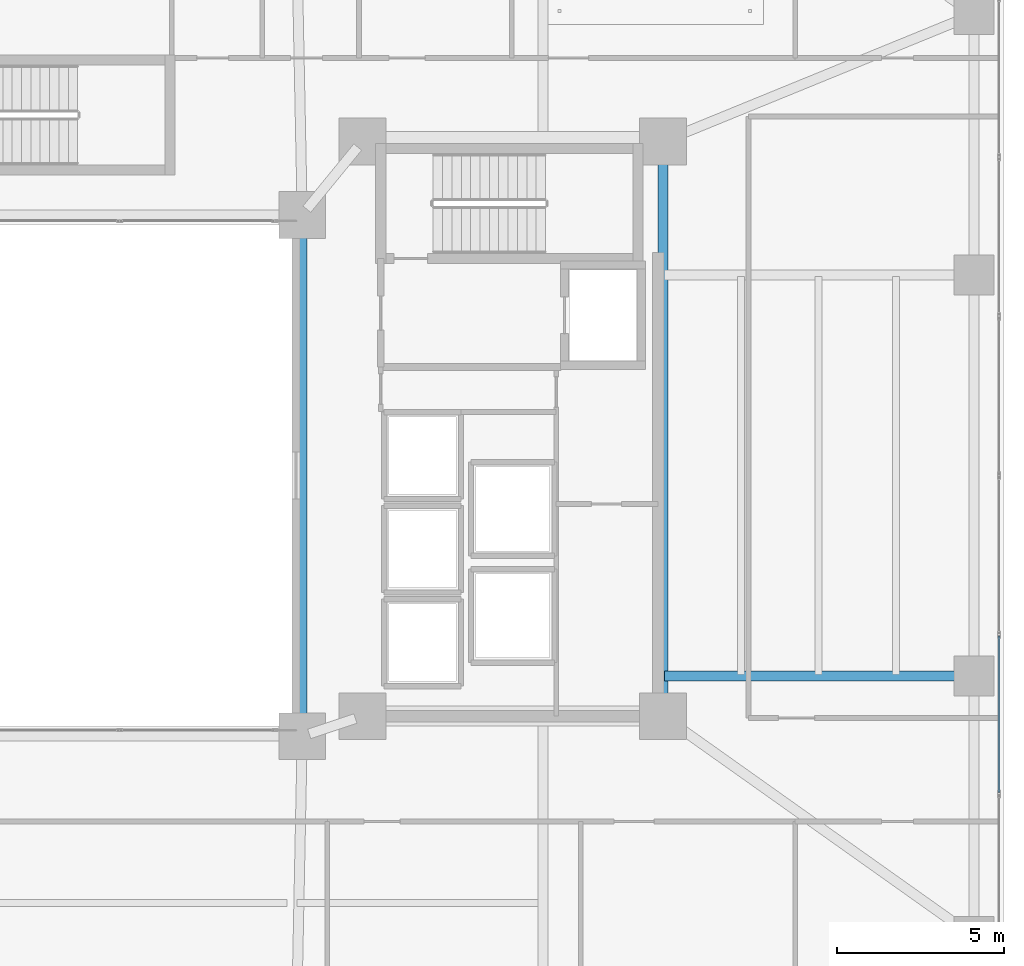
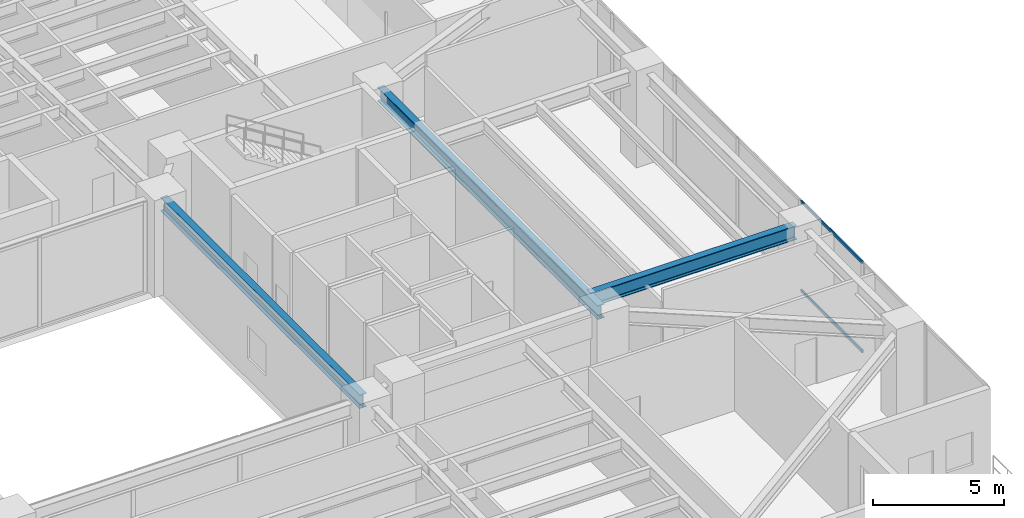
# One storey, part 15 of 40: 3 beams, 2 members, 1 element without a shape of its own.
"""IFC4 building model written with IfcOpenShell, lengths in metres."""

from ifc_helpers import new_model, si_unit, direction, frame, origin, origin_2d, place, context, subcontext, project, spatial, hollow_rectangle, i_section, extrude, material, layer, layer_set, material_profile, profile_set, type_object, element, aggregate, save


model = new_model("IFC4")

# Units and contexts
model_context = context("Model", 3, precision=1e-05, world=origin(), true_north=direction((0.0, 1.0)))
body_context = subcontext(model_context, "Body", "Model", "MODEL_VIEW")
ifc_project = project(units=[si_unit("LENGTHUNIT", "METRE"), si_unit("AREAUNIT", "SQUARE_METRE"), si_unit("VOLUMEUNIT", "CUBIC_METRE"), si_unit("PLANEANGLEUNIT", "RADIAN"), si_unit("MASSUNIT", "GRAM", prefix="KILO")], contexts=[model_context])

# Site, building, storey
site_placement = place(None, origin())
site = spatial("IfcSite", under=ifc_project, at=site_placement, CompositionType="ELEMENT")
building_placement = place(site_placement, origin())
building = spatial("IfcBuilding", under=site, at=building_placement, Name="Tarnavaz Court Tower", CompositionType="ELEMENT")
storey_placement = place(building_placement, frame((0.0, 0.0, 64.199951171875)))
storey = spatial("IfcBuildingStorey", under=building, at=storey_placement, Name="L17", CompositionType="ELEMENT", Elevation=64.199951171875)

# Beams
ifc_material_1 = material(Name="Steel S355", Category="steel")
ifc_material_profile_1 = material_profile(ifc_material_1, i_section(OverallWidth=0.300048828125, OverallDepth=0.64990234375, WebThickness=0.01611328125, FlangeThickness=0.031005859375, FilletRadius=0.027099609375, at=origin_2d()), Name="HEB 650")
ifc_profile_set_1 = profile_set([ifc_material_profile_1], Name="Steel S355")
beam_type_1 = type_object("IfcBeamType", Name="BM-G-HEB650", PredefinedType="USERDEFINED", material=ifc_profile_set_1)
beam_1_placement = place(storey_placement, frame((18.60009765625, -6.97998046875, 3.875), z_axis=(0.0, 1.0, 0.0), x_axis=(-1.0, 0.0, 0.0)))
element("IfcBeam", 1, at=beam_1_placement, inside=storey, type_object=beam_type_1, Name="L17 Beam IN-CE-SO-CE-NO", ObjectType="GIRDER", PredefinedType="USERDEFINED", context=body_context, shape_type="SweptSolid", body=[
    extrude(i_section(OverallWidth=0.300048828125, OverallDepth=0.64990234375, WebThickness=0.01611328125, FlangeThickness=0.031005859375, FilletRadius=0.027099609375, at=origin_2d()), origin(), (0.0, 0.0, 1.0), 16.760009765625),
])
beam_2_placement = place(storey_placement, frame((18.639892578125, -6.0, 3.875), z_axis=(1.0, 0.0, 0.0), x_axis=(0.0, 1.0, 0.0)))
element("IfcBeam", 2, at=beam_2_placement, inside=storey, type_object=beam_type_1, Name="L17 Beam RG-09", ObjectType="GIRDER", PredefinedType="USERDEFINED", context=body_context, shape_type="SweptSolid", body=[
    extrude(i_section(OverallWidth=0.300048828125, OverallDepth=0.64990234375, WebThickness=0.01611328125, FlangeThickness=0.031005859375, FilletRadius=0.027099609375, at=origin_2d()), origin(), (0.0, 0.0, 1.0), 9.0400390625),
])
ifc_material_profile_2 = material_profile(ifc_material_1, i_section(OverallWidth=0.300048828125, OverallDepth=0.639892578125, WebThickness=0.013427734375, FlangeThickness=0.02587890625, FilletRadius=0.027099609375, at=origin_2d()), Name="HEA 650")
ifc_profile_set_2 = profile_set([ifc_material_profile_2], Name="Steel S355")
beam_type_2 = type_object("IfcBeamType", Name="BM-SP-HEA650", PredefinedType="SPANDREL", material=ifc_profile_set_2)
beam_3_placement = place(storey_placement, frame((7.800048828125, -7.580078125, 3.880126953125), z_axis=(0.0, 1.0, 0.0), x_axis=(-1.0, 0.0, 0.0)))
element("IfcBeam", 3, at=beam_3_placement, inside=storey, type_object=beam_type_2, Name="L17 Beam IN-IW-SE-IW-NE", PredefinedType="SPANDREL", context=body_context, shape_type="SweptSolid", body=[
    extrude(i_section(OverallWidth=0.300048828125, OverallDepth=0.639892578125, WebThickness=0.013427734375, FlangeThickness=0.02587890625, FilletRadius=0.027099609375, at=origin_2d()), origin(), (0.0, 0.0, 1.0), 15.16015625),
])

# Curtain wall, members
ifc_material_2 = material(Name="Anodised Aluminium 6063-T6 and Solar Low-E Glazing", Category="aluminium")
ifc_layer = layer(ifc_material_2, 0.199951171875)
ifc_layer_set = layer_set([ifc_layer], Name="Anodised Aluminium 6063-T6 and Solar Low-E Glazing")
curtain_wall_type = type_object("IfcCurtainWallType", Name="CW-SYS-05", PredefinedType="NOTDEFINED", material=ifc_layer_set)
curtain_wall_placement = place(storey_placement, origin())
curtain_wall = element("IfcCurtainWall", 4, at=curtain_wall_placement, inside=storey, type_object=curtain_wall_type, Name="L17 Sky-Portal Curtain Wall 12", PredefinedType="NOTDEFINED")
ifc_material_3 = material(Name="Anodised Aluminium 6063-T6", Category="aluminium")
ifc_material_profile_3 = material_profile(ifc_material_3, hollow_rectangle(XDim=0.06494140625, YDim=0.139892578125, WallThickness=0.00390625, InnerFilletRadius=0.00390625, OuterFilletRadius=0.008056640625, at=origin_2d()), Name="ALU RHS 140X65X4")
ifc_profile_set_3 = profile_set([ifc_material_profile_3], Name="Anodised Aluminium 6063-T6")
member_type = type_object("IfcMemberType", Name="CW-TRN-140", PredefinedType="USERDEFINED", material=ifc_profile_set_3)
member_1_placement = place(storey_placement, frame((28.64990234375, -4.804931640625, 0.032470703125), z_axis=(0.0, -1.0, 0.0), x_axis=(1.0, 0.0, 0.0)))
member_1 = element("IfcMember", 5, at=member_1_placement, type_object=member_type, Name="CW transom 6.1", ObjectType="TRANSOM", PredefinedType="USERDEFINED", context=body_context, shape_type="SweptSolid", body=[
    extrude(hollow_rectangle(XDim=0.06494140625, YDim=0.139892578125, WallThickness=0.00390625, InnerFilletRadius=0.00390625, OuterFilletRadius=0.008056640625, at=origin_2d()), origin(), (0.0, 0.0, 1.0), 4.677490234375),
])
member_2_placement = place(storey_placement, frame((28.64990234375, -4.804931640625, 4.16748046875), z_axis=(0.0, -1.0, 0.0), x_axis=(1.0, 0.0, 0.0)))
member_2 = element("IfcMember", 6, at=member_2_placement, type_object=member_type, Name="CW transom 6.2", ObjectType="TRANSOM", PredefinedType="USERDEFINED", context=body_context, shape_type="SweptSolid", body=[
    extrude(hollow_rectangle(XDim=0.06494140625, YDim=0.139892578125, WallThickness=0.00390625, InnerFilletRadius=0.00390625, OuterFilletRadius=0.008056640625, at=origin_2d()), origin(), (0.0, 0.0, 1.0), 4.677490234375),
])
aggregate(curtain_wall, [member_1, member_2])

save(model, "model.ifc")
